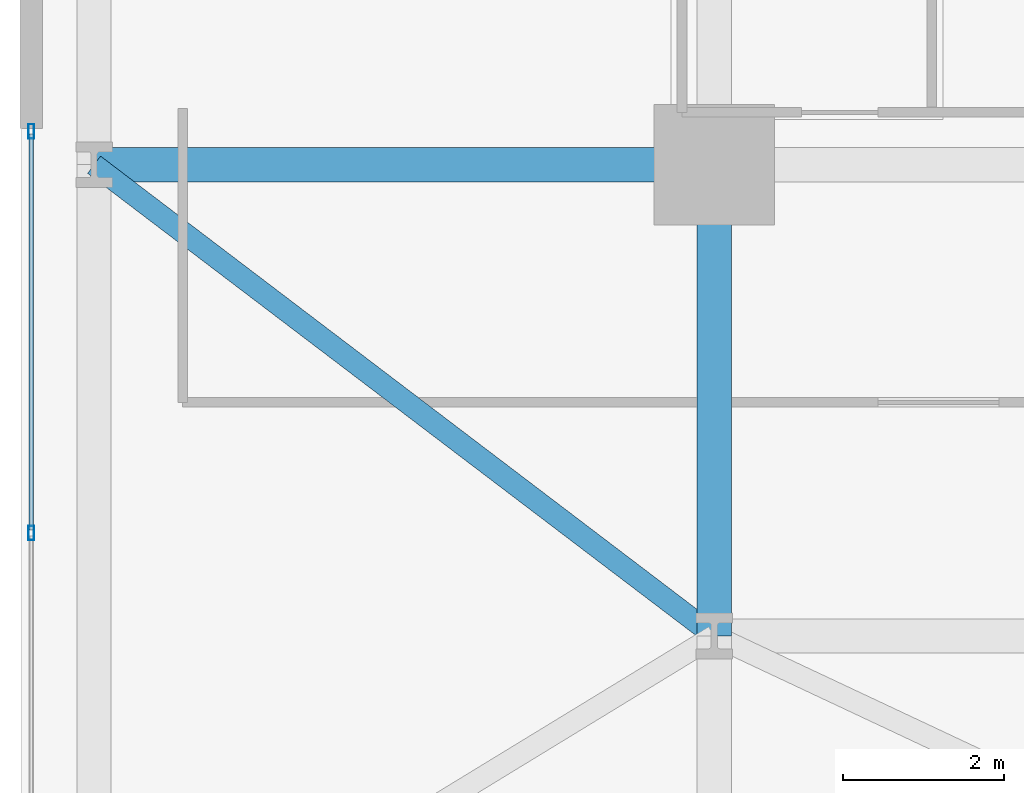
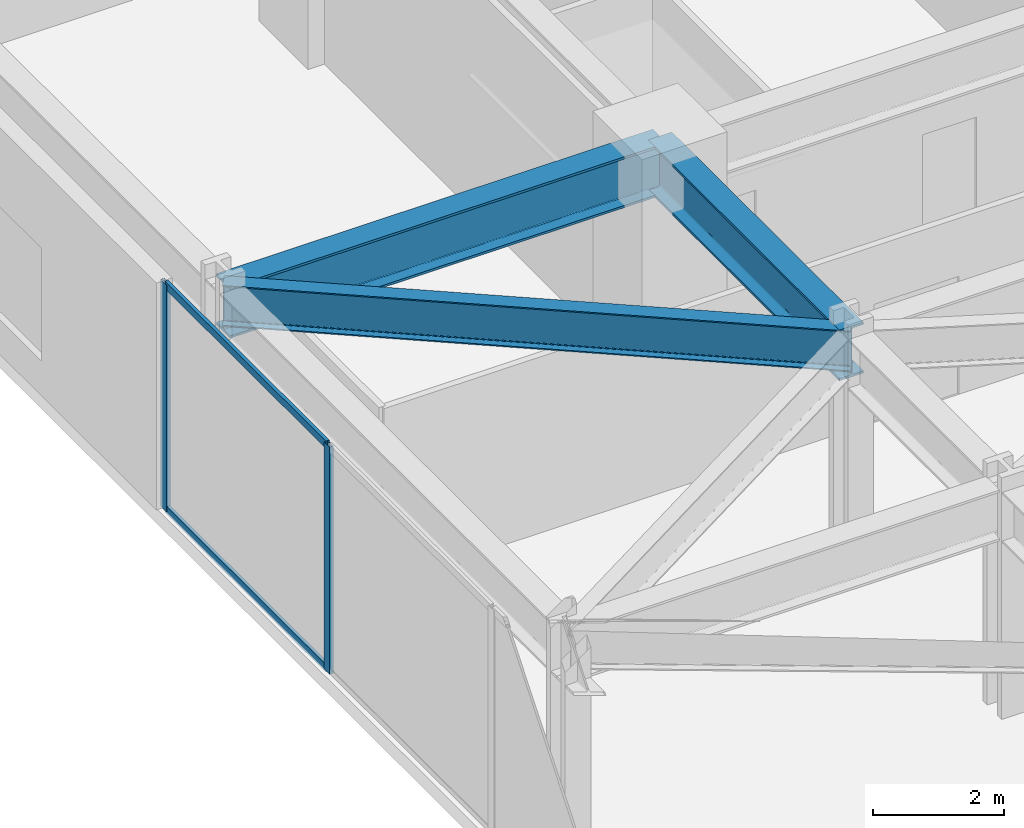
# One storey, part 19 of 28: 4 members, 3 beams, 1 element without a shape of its own.
"""IFC4 building model written with IfcOpenShell, lengths in metres."""

from ifc_helpers import new_model, si_unit, direction, frame, origin, origin_2d, place, context, subcontext, project, spatial, hollow_rectangle, i_section, extrude, material, layer, layer_set, material_profile, profile_set, type_object, element, aggregate, save


model = new_model("IFC4")

# Units and contexts
model_context = context("Model", 3, precision=1e-05, world=origin(), true_north=direction((0.0, 1.0)))
body_context = subcontext(model_context, "Body", "Model", "MODEL_VIEW")
ifc_project = project(units=[si_unit("LENGTHUNIT", "METRE"), si_unit("AREAUNIT", "SQUARE_METRE"), si_unit("VOLUMEUNIT", "CUBIC_METRE"), si_unit("PLANEANGLEUNIT", "RADIAN"), si_unit("MASSUNIT", "GRAM", prefix="KILO")], contexts=[model_context])

# Site, building, storey
site_placement = place(None, origin())
site = spatial("IfcSite", under=ifc_project, at=site_placement, CompositionType="ELEMENT")
building_placement = place(site_placement, origin())
building = spatial("IfcBuilding", under=site, at=building_placement, Name="Kravanh Interchange Tower", CompositionType="ELEMENT")
storey_placement = place(building_placement, frame((0.0, 0.0, 15.300048828125)))
storey = spatial("IfcBuildingStorey", under=building, at=storey_placement, Name="L03", CompositionType="ELEMENT", Elevation=15.300048828125)

# Curtain wall, members
ifc_material_1 = material(Name="Anodised Bronze Aluminium", Category="aluminium")
ifc_layer = layer(ifc_material_1, 0.179931640625)
ifc_layer_set = layer_set([ifc_layer], Name="Unitised Curtain Wall System CW-POD Podium Concourse")
curtain_wall_type = type_object("IfcCurtainWallType", Name="Unitised Curtain Wall System CW-POD Podium Concourse", PredefinedType="NOTDEFINED", material=ifc_layer_set)
curtain_wall_placement = place(storey_placement, origin())
curtain_wall = element("IfcCurtainWall", 1, at=curtain_wall_placement, inside=storey, type_object=curtain_wall_type, Name="L03 Unitised Curtain Wall CW-L03-01", PredefinedType="NOTDEFINED")
ifc_material_2 = material(Name="Anodised Bronze Aluminium", Category="aluminium")
ifc_material_profile_1 = material_profile(ifc_material_2, hollow_rectangle(XDim=0.070068359375, YDim=0.179931640625, WallThickness=0.00390625, at=origin_2d()), Name="ALU70X180X4")
ifc_profile_set_1 = profile_set([ifc_material_profile_1], Name="Anodised Bronze Aluminium")
member_type_1 = type_object("IfcMemberType", Name="Curtain Wall Mullion ALU70X180X4 Bronze", PredefinedType="MULLION", material=ifc_profile_set_1)
member_1_placement = place(storey_placement, frame((0.1201171875, 32.778564453125, 0.0), z_axis=(0.0, 0.0, 1.0), x_axis=(-1.0, 0.0, 0.0)))
member_1 = element("IfcMember", 2, at=member_1_placement, type_object=member_type_1, Name="CW-POD mullion 7", PredefinedType="MULLION", context=body_context, shape_type="SweptSolid", body=[
    extrude(hollow_rectangle(XDim=0.070068359375, YDim=0.179931640625, WallThickness=0.00390625, at=origin_2d()), origin(), (0.0, 0.0, 1.0), 4.22998046875),
])
member_2_placement = place(storey_placement, frame((0.1201171875, 37.764892578125, 0.0), z_axis=(0.0, 0.0, 1.0), x_axis=(-1.0, 0.0, 0.0)))
member_2 = element("IfcMember", 3, at=member_2_placement, type_object=member_type_1, Name="CW-POD mullion 8", PredefinedType="MULLION", context=body_context, shape_type="SweptSolid", body=[
    extrude(hollow_rectangle(XDim=0.070068359375, YDim=0.179931640625, WallThickness=0.00390625, at=origin_2d()), origin(), (0.0, 0.0, 1.0), 4.22998046875),
])
ifc_material_3 = material(Name="Anodised Bronze Aluminium", Category="aluminium")
ifc_material_profile_2 = material_profile(ifc_material_3, hollow_rectangle(XDim=0.06005859375, YDim=0.139892578125, WallThickness=0.00390625, at=origin_2d()), Name="ALU60X140X4")
ifc_profile_set_2 = profile_set([ifc_material_profile_2], Name="Anodised Bronze Aluminium")
member_type_2 = type_object("IfcMemberType", Name="Curtain Wall Transom ALU60X140X4 Bronze", PredefinedType="USERDEFINED", material=ifc_profile_set_2)
member_3_placement = place(storey_placement, frame((0.1201171875, 32.8134765625, 0.030029296875), z_axis=(0.0, 1.0, 0.0), x_axis=(-1.0, 0.0, 0.0)))
member_3 = element("IfcMember", 4, at=member_3_placement, type_object=member_type_2, Name="CW-POD transom 7.1", ObjectType="TRANSOM", PredefinedType="USERDEFINED", context=body_context, shape_type="SweptSolid", body=[
    extrude(hollow_rectangle(XDim=0.06005859375, YDim=0.139892578125, WallThickness=0.00390625, at=origin_2d()), origin(), (0.0, 0.0, 1.0), 4.91650390625),
])
member_4_placement = place(storey_placement, frame((0.1201171875, 32.8134765625, 4.199951171875), z_axis=(0.0, 1.0, 0.0), x_axis=(-1.0, 0.0, 0.0)))
member_4 = element("IfcMember", 5, at=member_4_placement, type_object=member_type_2, Name="CW-POD transom 7.2", ObjectType="TRANSOM", PredefinedType="USERDEFINED", context=body_context, shape_type="SweptSolid", body=[
    extrude(hollow_rectangle(XDim=0.06005859375, YDim=0.139892578125, WallThickness=0.00390625, at=origin_2d()), origin(), (0.0, 0.0, 1.0), 4.91650390625),
])
aggregate(curtain_wall, [member_1, member_2, member_3, member_4])

# Beams
ifc_material_4 = material(Name="Structural Steel S450", Category="steel")
ifc_material_profile_3 = material_profile(ifc_material_4, i_section(OverallWidth=0.423095703125, OverallDepth=0.947998046875, WebThickness=0.02392578125, FlangeThickness=0.042724609375, FilletRadius=0.028076171875, at=origin_2d()), Name="W36X302")
ifc_profile_set_3 = profile_set([ifc_material_profile_3], Name="Structural Steel S450")
beam_type_1 = type_object("IfcBeamType", Name="Floor Beam W36X302 Structural Steel S450", PredefinedType="BEAM", material=ifc_profile_set_3)
beam_1_placement = place(storey_placement, frame((8.60009765625, 31.5, 3.755859375), z_axis=(0.0, 1.0, 0.0), x_axis=(-1.0, 0.0, 0.0)))
element("IfcBeam", 6, at=beam_1_placement, inside=storey, type_object=beam_type_1, Name="L03 Primary Floor Girder 104", PredefinedType="BEAM", context=body_context, shape_type="SweptSolid", body=[
    extrude(i_section(OverallWidth=0.423095703125, OverallDepth=0.947998046875, WebThickness=0.02392578125, FlangeThickness=0.042724609375, FilletRadius=0.028076171875, at=origin_2d()), origin(), (0.0, 0.0, 1.0), 5.85009765625),
])
beam_2_placement = place(storey_placement, frame((0.89990234375, 37.35009765625, 3.755859375), z_axis=(1.0, 0.0, 0.0), x_axis=(0.0, 1.0, 0.0)))
element("IfcBeam", 7, at=beam_2_placement, inside=storey, type_object=beam_type_1, Name="L03 Primary Floor Girder 125", PredefinedType="BEAM", context=body_context, shape_type="SweptSolid", body=[
    extrude(i_section(OverallWidth=0.423095703125, OverallDepth=0.947998046875, WebThickness=0.02392578125, FlangeThickness=0.042724609375, FilletRadius=0.028076171875, at=origin_2d()), origin(), (0.0, 0.0, 1.0), 7.7001953125),
])
ifc_material_5 = material(Name="Structural Steel S355", Category="steel")
ifc_material_profile_4 = material_profile(ifc_material_5, i_section(OverallWidth=0.26708984375, OverallDepth=0.761962890625, WebThickness=0.014404296875, FlangeThickness=0.021484375, FilletRadius=0.02490234375, at=origin_2d()), Name="W30X116")
ifc_profile_set_4 = profile_set([ifc_material_profile_4], Name="Structural Steel S355")
beam_type_2 = type_object("IfcBeamType", Name="Floor Spandrel W30X116 Structural Steel S355", PredefinedType="SPANDREL", material=ifc_profile_set_4)
beam_3_placement = place(storey_placement, frame((8.60009765625, 31.5, 3.848876953125), z_axis=(-0.796264345287, 0.604948834552, 0.0), x_axis=(-0.604948834552, -0.796264345287, 0.0)))
element("IfcBeam", 8, at=beam_3_placement, inside=storey, type_object=beam_type_2, Name="L03 Perimeter Spandrel 106", PredefinedType="SPANDREL", context=body_context, shape_type="SweptSolid", body=[
    extrude(i_section(OverallWidth=0.26708984375, OverallDepth=0.761962890625, WebThickness=0.014404296875, FlangeThickness=0.021484375, FilletRadius=0.02490234375, at=origin_2d()), origin(), (0.0, 0.0, 1.0), 9.67041015625),
])

save(model, "model.ifc")
